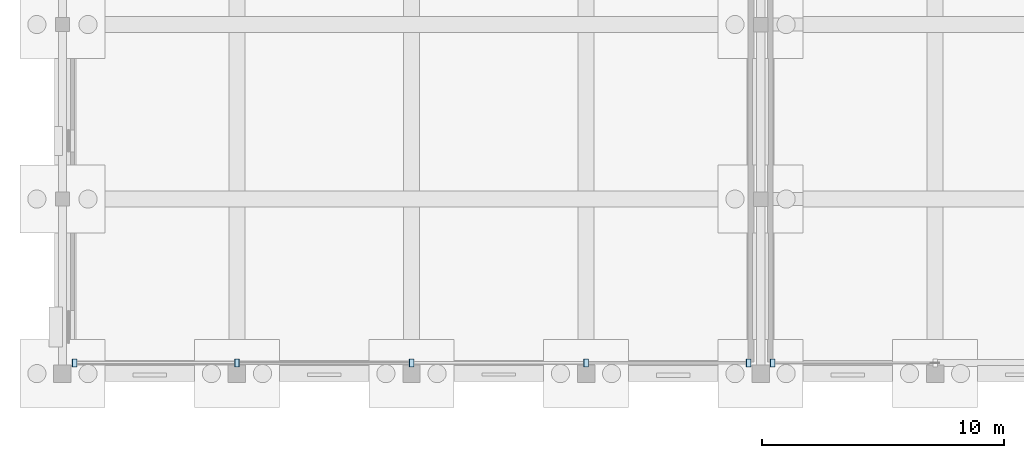
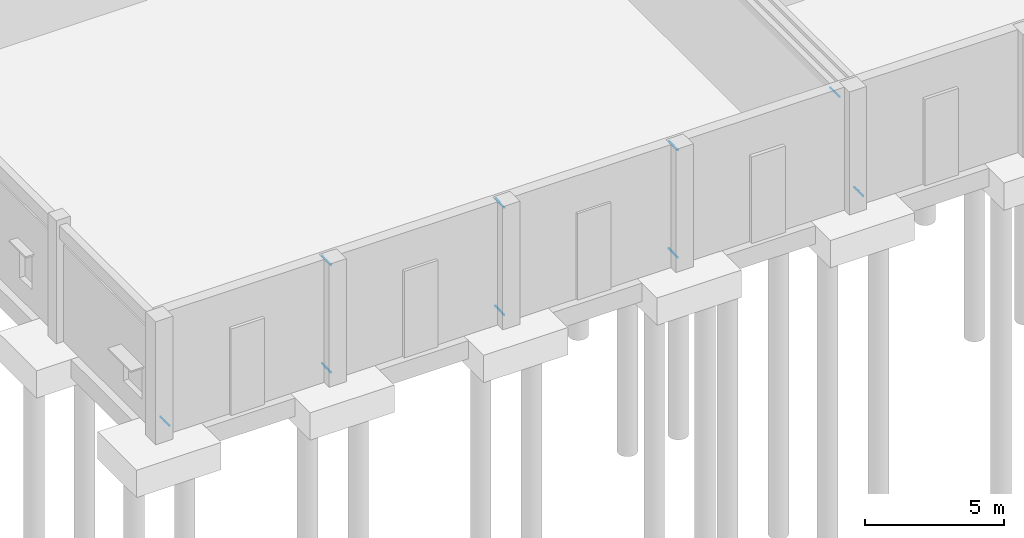
# One storey, part 61 of 91: 9 plates.
"""IFC4 building model written with IfcOpenShell, lengths in metres."""

from ifc_helpers import new_model, si_unit, direction, frame, origin, origin_2d, place, context, subcontext, project, spatial, rectangle, extrude, material, layer, layer_set, type_object, element, save


model = new_model("IFC4")

# Units and contexts
model_context = context("Model", 3, precision=1e-05, world=origin(), true_north=direction((0.0, 1.0)))
body_context = subcontext(model_context, "Body", "Model", "MODEL_VIEW")
ifc_project = project(units=[si_unit("LENGTHUNIT", "METRE"), si_unit("AREAUNIT", "SQUARE_METRE"), si_unit("VOLUMEUNIT", "CUBIC_METRE"), si_unit("PLANEANGLEUNIT", "RADIAN"), si_unit("MASSUNIT", "GRAM", prefix="KILO")], contexts=[model_context])

# Site, building, storey
site_placement = place(None, origin())
site = spatial("IfcSite", under=ifc_project, at=site_placement, CompositionType="ELEMENT")
building_placement = place(site_placement, origin())
building = spatial("IfcBuilding", under=site, at=building_placement, Name="Bramveld Media Centre", CompositionType="ELEMENT")
storey_placement = place(building_placement, origin())
storey = spatial("IfcBuildingStorey", under=building, at=storey_placement, Name="L00", CompositionType="ELEMENT", Elevation=0.0)

# Plates
ifc_material = material(Name="Steel S355J2", Category="steel")
ifc_layer = layer(ifc_material, 0.013916015625)
ifc_layer_set = layer_set([ifc_layer], Name="Steel S355J2")
plate_type = type_object("IfcPlateType", Name="PLT-CAP-14", PredefinedType="USERDEFINED", material=ifc_layer_set)
for number, where, z_axis, x_axis, name in (
    (1, (0.5, 0.43994140625, 0.25), (-0.818657473814, 0.0, -0.57428210887), (0.0, -1.0, 0.0), "Hollow section end cap plate CAP-BRC-V2-S1-0"),
    (2, (7.2001953125, 0.43994140625, 4.9501953125), (0.818657473814, 0.0, 0.57428210887), (0.0, 1.0, 0.0), "Hollow section end cap plate CAP-BRC-V2-S1-1"),
    (3, (7.199951171875, 0.43994140625, 0.25), (-0.837379150229, 0.0, -0.546622501149), (0.0, -1.0, 0.0), "Hollow section end cap plate CAP-BRC-V2-S2-0"),
    (4, (14.400146484375, 0.43994140625, 4.949951171875), (0.837379150229, 0.0, 0.546622501149), (0.0, 1.0, 0.0), "Hollow section end cap plate CAP-BRC-V2-S2-1"),
    (5, (14.39990234375, 0.43994140625, 0.25), (-0.837379150229, 0.0, -0.546622501149), (0.0, -1.0, 0.0), "Hollow section end cap plate CAP-BRC-V2-S3-0"),
    (6, (21.60009765625, 0.43994140625, 4.949951171875), (0.837379150229, 0.0, 0.546622501149), (0.0, 1.0, 0.0), "Hollow section end cap plate CAP-BRC-V2-S3-1"),
    (7, (21.599853515625, 0.43994140625, 0.25), (-0.818657473814, 0.0, -0.57428210887), (0.0, -1.0, 0.0), "Hollow section end cap plate CAP-BRC-V2-S4-0"),
    (8, (28.300048828125, 0.43994140625, 4.9501953125), (0.818657473814, 0.0, 0.57428210887), (0.0, 1.0, 0.0), "Hollow section end cap plate CAP-BRC-V2-S4-1"),
    (9, (29.2998046875, 0.43994140625, 0.25), (-0.818657473814, 0.0, -0.57428210887), (0.0, -1.0, 0.0), "Hollow section end cap plate CAP-BRC-V2-S5-0"),
):
    element("IfcPlate", number, at=place(storey_placement, frame(where, z_axis=z_axis, x_axis=x_axis)), inside=storey, type_object=plate_type, Name=name, ObjectType="CAP PLATE", PredefinedType="USERDEFINED", context=body_context, shape_type="SweptSolid", body=[
        extrude(rectangle(XDim=0.320068359375, YDim=0.320068359375, at=origin_2d()), origin(), (0.0, 0.0, 1.0), 0.013916015625),
    ])

save(model, "model.ifc")
